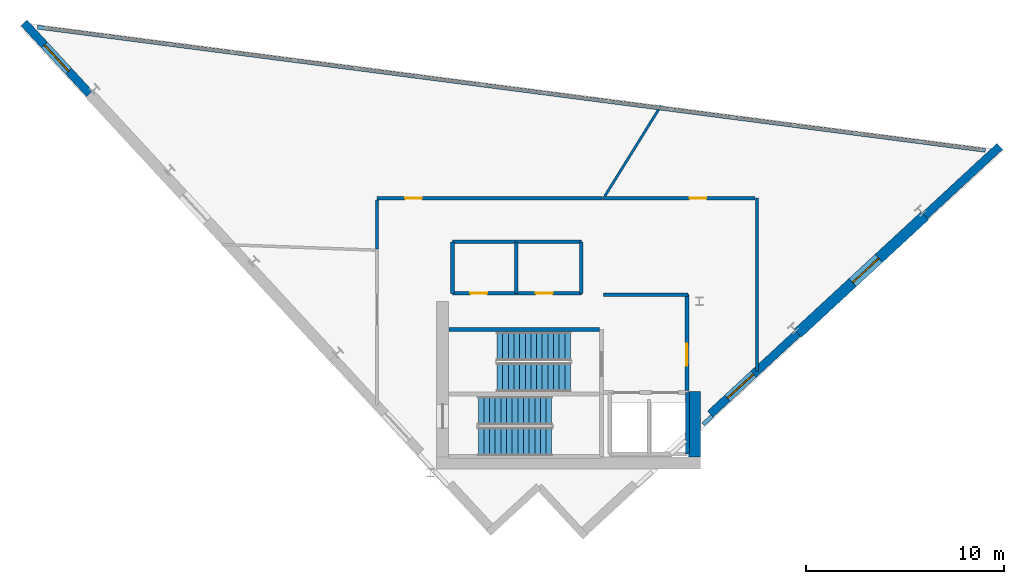
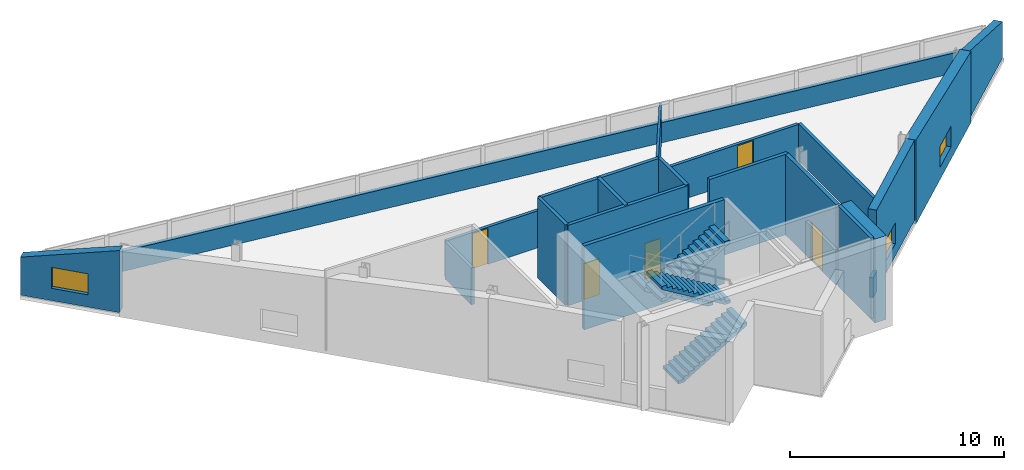
# One storey, part 6 of 7: 21 walls, 5 doors, 4 stair flights, 3 windows, 8 openings, 2 elements without a shape of their own.
"""IFC4 building model written with IfcOpenShell, lengths in metres."""

from ifc_helpers import new_model, si_unit, direction, frame, frame_2d, origin, place, context, subcontext, project, spatial, polyline, rectangle, outline, extrude, material, layer, layer_set, type_object, element, fill, aggregate, save


model = new_model("IFC4")

# Units and contexts
model_context = context("Model", 3, precision=1e-05, world=origin(), true_north=direction((0.0, 1.0)))
body_context = subcontext(model_context, "Body", "Model", "MODEL_VIEW")
ifc_project = project(units=[si_unit("LENGTHUNIT", "METRE"), si_unit("AREAUNIT", "SQUARE_METRE"), si_unit("VOLUMEUNIT", "CUBIC_METRE"), si_unit("PLANEANGLEUNIT", "RADIAN"), si_unit("MASSUNIT", "GRAM", prefix="KILO")], contexts=[model_context])

# Site, building, storey
site_placement = place(None, origin())
site = spatial("IfcSite", under=ifc_project, at=site_placement, CompositionType="ELEMENT")
building_placement = place(site_placement, origin())
building = spatial("IfcBuilding", under=site, at=building_placement, Name="Narakoshi Arena Tower", CompositionType="ELEMENT")
storey_placement = place(building_placement, frame((0.0, 0.0, 312.580078125)))
storey = spatial("IfcBuildingStorey", under=building, at=storey_placement, Name="L84", CompositionType="ELEMENT", Elevation=312.580078125)

# Walls
ifc_material_1 = material(Name="Concrete C50/60", Category="concrete")
ifc_layer_1 = layer(ifc_material_1, 0.60009765625)
ifc_layer_set_1 = layer_set([ifc_layer_1], Name="Concrete C50/60")
wall_type_1 = type_object("IfcWallType", Name="WL-CORE-600", PredefinedType="SHEAR", material=ifc_layer_set_1)
wall_1_placement = place(storey_placement, frame((85.300048828125, 35.5, -0.2001953125), z_axis=(0.0, 0.0, 1.0), x_axis=(0.0, 1.0, 0.0)))
element("IfcWall", 1, at=wall_1_placement, inside=storey, type_object=wall_type_1, Name="L84 Central Core Shear Wall CW-APX-E", PredefinedType="SHEAR", context=body_context, shape_type="SweptSolid", body=[
    extrude(rectangle(XDim=3.300048828125, YDim=0.60009765625, at=frame_2d((1.64990234375, 0.0))), origin(), (0.0, 0.0, 1.0), 4.800048828125),
])
ifc_material_2 = material(Name="Gypsum plasterboard fire-rated partition")
ifc_layer_2 = layer(ifc_material_2, 0.1650390625)
ifc_layer_set_2 = layer_set([ifc_layer_2], Name="Gypsum plasterboard fire-rated partition")
wall_type_2 = type_object("IfcWallType", Name="WL-CORR-165", PredefinedType="PARTITIONING", material=ifc_layer_set_2)
wall_2_placement = place(storey_placement, frame((88.449951171875, 39.81689453125, 0.0), z_axis=(0.0, 0.0, 1.0), x_axis=(0.0, 1.0, 0.0)))
element("IfcWall", 2, at=wall_2_placement, inside=storey, type_object=wall_type_2, Name="L84 Corridor Partition 02-1", PredefinedType="PARTITIONING", context=body_context, shape_type="SweptSolid", body=[
    extrude(rectangle(XDim=8.733154296875, YDim=0.1650390625, at=frame_2d((4.36669921875, 0.0))), origin(), (0.0, 0.0, 1.0), 2.119873046875),
])

# Wall, opening, door
wall_3_placement = place(storey_placement, frame((88.35546875, 48.550048828125, 0.0), z_axis=(0.0, 0.0, 1.0), x_axis=(-1.0, 0.0, 0.0)))
wall_3 = element("IfcWall", 3, at=wall_3_placement, inside=storey, type_object=wall_type_2, Name="L84 Corridor Partition 02-2", PredefinedType="PARTITIONING", context=body_context, shape_type="SweptSolid", body=[
    extrude(rectangle(XDim=7.679931640625, YDim=0.1650390625, at=frame_2d((3.83984375, 0.0))), origin(), (0.0, 0.0, 1.0), 2.119873046875),
])
opening_1_placement = place(wall_3_placement, frame((2.450439453125, 0.0, 0.0)))
opening_1 = element("IfcOpeningElement", 4, at=opening_1_placement, cuts=wall_3, Name="Opening D-10", PredefinedType="OPENING", context=body_context, shape_type="SweptSolid", body=[
    extrude(rectangle(XDim=0.85009765625, YDim=2.050048828125, at=frame_2d((0.425048828125, 1.02490234375))), frame((0.0, 0.092529296875, 0.0), z_axis=(0.0, -1.0, 0.0), x_axis=(1.0, 0.0, 0.0)), (0.0, 0.0, 1.0), 0.18505859375),
])
ifc_material_3 = material(Name="Painted galvanized steel", Category="steel")
door_type_1 = type_object("IfcDoorType", Name="DR-RSR-850", OperationType="NOTDEFINED", PredefinedType="DOOR", material=ifc_material_3)
door_1_placement = place(opening_1_placement, frame((0.85009765625, 0.0, 0.0), z_axis=(0.0, 0.0, 1.0), x_axis=(-1.0, 0.0, 0.0)))
door_1 = element("IfcDoor", 5, at=door_1_placement, inside=storey, type_object=door_type_1, Name="DR-L84-009", OperationType="SINGLE_SWING_LEFT", OverallHeight=2.050048828125, OverallWidth=0.85009765625, PredefinedType="DOOR", context=body_context, shape_type="SweptSolid", body=[
    extrude(rectangle(XDim=0.85009765625, YDim=2.050048828125, at=frame_2d((0.425048828125, 1.02490234375))), frame((0.0, 0.02490234375, 0.0), z_axis=(0.0, -1.0, 0.0), x_axis=(1.0, 0.0, 0.0)), (0.0, 0.0, 1.0), 0.050048828125),
])
fill(opening_1, door_1)

wall_4_placement = place(storey_placement, frame((80.647216796875, 48.550048828125, 0.0), z_axis=(0.0, 0.0, 1.0), x_axis=(-1.0, 0.0, 0.0)))
wall_4 = element("IfcWall", 6, at=wall_4_placement, inside=storey, type_object=wall_type_2, Name="L84 Corridor Partition 03-1", PredefinedType="PARTITIONING", context=body_context, shape_type="SweptSolid", body=[
    extrude(rectangle(XDim=11.34716796875, YDim=0.1650390625, at=frame_2d((5.673583984375, 0.0))), origin(), (0.0, 0.0, 1.0), 2.119873046875),
])
opening_2_placement = place(wall_4_placement, frame((9.08544921875, 0.0, 0.0)))
opening_2 = element("IfcOpeningElement", 7, at=opening_2_placement, cuts=wall_4, Name="Opening D-10", PredefinedType="OPENING", context=body_context, shape_type="SweptSolid", body=[
    extrude(rectangle(XDim=0.85009765625, YDim=2.050048828125, at=frame_2d((0.425048828125, 1.02490234375))), frame((0.0, 0.092529296875, 0.0), z_axis=(0.0, -1.0, 0.0), x_axis=(1.0, 0.0, 0.0)), (0.0, 0.0, 1.0), 0.18505859375),
])
door_2_placement = place(opening_2_placement, frame((0.85009765625, 0.0, 0.0), z_axis=(0.0, 0.0, 1.0), x_axis=(-1.0, 0.0, 0.0)))
door_2 = element("IfcDoor", 8, at=door_2_placement, inside=storey, type_object=door_type_1, Name="DR-L84-010", OperationType="SINGLE_SWING_RIGHT", OverallHeight=2.050048828125, OverallWidth=0.85009765625, PredefinedType="DOOR", context=body_context, shape_type="SweptSolid", body=[
    extrude(rectangle(XDim=0.85009765625, YDim=2.050048828125, at=frame_2d((0.425048828125, 1.02490234375))), frame((0.0, 0.02490234375, 0.0), z_axis=(0.0, -1.0, 0.0), x_axis=(1.0, 0.0, 0.0)), (0.0, 0.0, 1.0), 0.050048828125),
])
fill(opening_2, door_2)

# Wall
wall_5_placement = place(storey_placement, frame((69.300048828125, 48.45556640625, 0.0), z_axis=(0.0, 0.0, 1.0), x_axis=(0.0, -1.0, 0.0)))
element("IfcWall", 9, at=wall_5_placement, inside=storey, type_object=wall_type_2, Name="L84 Corridor Partition 03-2", PredefinedType="PARTITIONING", context=body_context, shape_type="SweptSolid", body=[
    extrude(rectangle(XDim=2.47021484375, YDim=0.1650390625, at=frame_2d((1.235107421875, 0.0))), origin(), (0.0, 0.0, 1.0), 2.119873046875),
])

# Wall, opening, window
ifc_layer_3 = layer(ifc_material_1, 0.550048828125)
ifc_layer_set_3 = layer_set([ifc_layer_3], Name="Concrete C50/60")
wall_type_3 = type_object("IfcWallType", Name="WL-LEG-550", PredefinedType="SHEAR", material=ifc_layer_set_3)
wall_6_placement = place(storey_placement, frame((90.5078125, 41.739501953125, -0.2001953125), z_axis=(0.0, 0.0, 1.0), x_axis=(0.734313922731, 0.67881003446, 0.0)))
wall_6 = element("IfcWall", 10, at=wall_6_placement, inside=storey, type_object=wall_type_3, Name="L84 Architectural Concrete Structural Wall LEGA-3", PredefinedType="SHEAR", context=body_context, shape_type="SweptSolid", body=[
    extrude(outline(polyline([(0.0, 0.0), (8.722412109375, 0.0), (8.72265625, 4.0546875), (0.0, 4.800048828125), (0.0, 0.0)])), frame((0.0, 0.27490234375, 0.0), z_axis=(0.0, -1.0, 0.0), x_axis=(1.0, 0.0, 0.0)), (0.0, 0.0, 1.0), 0.550048828125),
])
opening_3_placement = place(wall_6_placement, frame((3.764404296875, 0.0, 0.699951171875)))
opening_3 = element("IfcOpeningElement", 11, at=opening_3_placement, cuts=wall_6, Name="Opening WN-05", PredefinedType="OPENING", context=body_context, shape_type="SweptSolid", body=[
    extrude(rectangle(XDim=1.800048828125, YDim=1.199951171875, at=frame_2d((0.89990234375, 0.60009765625))), frame((0.0, 0.284912109375, 0.0), z_axis=(0.0, -1.0, 0.0), x_axis=(1.0, 0.0, 0.0)), (0.0, 0.0, 1.0), 0.570068359375),
])
ifc_material_4 = material(Name="Bronze-tinted low-E laminated glass", Category="glass")
window_type = type_object("IfcWindowType", Name="WIN-SLT-18x12", PartitioningType="SINGLE_PANEL", PredefinedType="WINDOW", material=ifc_material_4)
window_1_placement = place(opening_3_placement, origin())
window_1 = element("IfcWindow", 12, at=window_1_placement, inside=storey, type_object=window_type, Name="L84 LEGA3 Horizontal Slot Window 1", OverallHeight=1.199951171875, OverallWidth=1.800048828125, PartitioningType="SINGLE_PANEL", PredefinedType="WINDOW", context=body_context, shape_type="SweptSolid", body=[
    extrude(rectangle(XDim=1.800048828125, YDim=1.199951171875, at=frame_2d((0.89990234375, 0.60009765625))), frame((0.0, 0.030029296875, 0.0), z_axis=(0.0, -1.0, 0.0), x_axis=(1.0, 0.0, 0.0)), (0.0, 0.0, 1.0), 0.06005859375),
])
fill(opening_3, window_1)

# Walls
ifc_material_5 = material(Name="Precast concrete C45/55", Category="concrete")
ifc_layer_4 = layer(ifc_material_5, 0.25)
ifc_layer_set_4 = layer_set([ifc_layer_4], Name="Precast concrete C45/55")
wall_type_4 = type_object("IfcWallType", Name="WL-PARA-250", PredefinedType="PARAPET", material=ifc_layer_set_4)
wall_7_placement = place(storey_placement, frame((52.179931640625, 57.16748046875, 0.0), z_axis=(0.0, 0.0, 1.0), x_axis=(0.991658680797, -0.128891663035, 0.0)))
element("IfcWall", 13, at=wall_7_placement, inside=storey, type_object=wall_type_4, Name="L84 Crown Sill Upstand Parapet 03", PredefinedType="PARAPET", context=body_context, shape_type="SweptSolid", body=[
    extrude(rectangle(XDim=48.185302734375, YDim=0.199951171875, at=frame_2d((24.0927734375, 0.0))), origin(), (0.0, 0.0, 1.0), 1.14990234375),
])
wall_8_placement = place(storey_placement, frame((86.191650390625, 37.56591796875, 0.0), z_axis=(0.0, 0.0, 1.0), x_axis=(-0.734346728958, -0.678774544064, 0.0)))
element("IfcWall", 14, at=wall_8_placement, inside=storey, type_object=wall_type_4, Name="L84 Crown Sill Upstand Parapet 04", PredefinedType="PARAPET", context=body_context, shape_type="SweptSolid", body=[
    extrude(rectangle(XDim=0.614990234375, YDim=0.199951171875, at=frame_2d((0.3076171875, 0.0))), origin(), (0.0, 0.0, 1.0), 1.14990234375),
])
ifc_layer_5 = layer(ifc_material_2, 0.125)
ifc_layer_set_5 = layer_set([ifc_layer_5], Name="Gypsum plasterboard fire-rated partition")
wall_type_5 = type_object("IfcWallType", Name="WL-PART-125", PredefinedType="PARTITIONING", material=ifc_layer_set_5)
wall_9_placement = place(storey_placement, frame((80.77685546875, 48.64453125, 0.0), z_axis=(0.0, 0.0, 1.0), x_axis=(0.527561345101, 0.849516937533, 0.0)))
element("IfcWall", 15, at=wall_9_placement, inside=storey, type_object=wall_type_5, Name="L84 Inter-Room Partition 02-03", PredefinedType="PARTITIONING", context=body_context, shape_type="SweptSolid", body=[
    extrude(rectangle(XDim=5.388427734375, YDim=0.125, at=frame_2d((2.6943359375, 0.0))), origin(), (0.0, 0.0, 1.0), 2.119873046875),
])

# Wall, opening, window
ifc_layer_6 = layer(ifc_material_5, 0.419921875)
ifc_layer_set_6 = layer_set([ifc_layer_6], Name="Precast concrete C45/55")
wall_type_6 = type_object("IfcWallType", Name="WL-POD-420", PredefinedType="SOLIDWALL", material=ifc_layer_set_6)
wall_10_placement = place(storey_placement, frame((86.10009765625, 37.6650390625, 0.0), z_axis=(0.0, 0.0, 1.0), x_axis=(0.734321413343, 0.678801931277, 0.0)))
wall_10 = element("IfcWall", 16, at=wall_10_placement, inside=storey, type_object=wall_type_6, Name="L84 Architectural Concrete Facade Wall LEGA-2", PredefinedType="SOLIDWALL", context=body_context, shape_type="SweptSolid", body=[
    extrude(outline(polyline([(0.0, 0.0), (6.00244140625, 0.0), (6.00244140625, 4.599853515625), (0.0, 4.599853515625), (0.0, 0.0)])), frame((0.0, 0.2099609375, 0.0), z_axis=(0.0, -1.0, 0.0), x_axis=(1.0, 0.0, 0.0)), (0.0, 0.0, 1.0), 0.419921875),
])
opening_4_placement = place(wall_10_placement, frame((1.169189453125, 0.0, 0.699951171875)))
opening_4 = element("IfcOpeningElement", 17, at=opening_4_placement, cuts=wall_10, Name="Opening WN-05", PredefinedType="OPENING", context=body_context, shape_type="SweptSolid", body=[
    extrude(rectangle(XDim=1.800048828125, YDim=1.199951171875, at=frame_2d((0.89990234375, 0.60009765625))), frame((0.0, 0.219970703125, 0.0), z_axis=(0.0, -1.0, 0.0), x_axis=(1.0, 0.0, 0.0)), (0.0, 0.0, 1.0), 0.43994140625),
])
window_2_placement = place(opening_4_placement, origin())
window_2 = element("IfcWindow", 18, at=window_2_placement, inside=storey, type_object=window_type, Name="L84 LEGA2 Horizontal Slot Window 1", OverallHeight=1.199951171875, OverallWidth=1.800048828125, PartitioningType="SINGLE_PANEL", PredefinedType="WINDOW", context=body_context, shape_type="SweptSolid", body=[
    extrude(rectangle(XDim=1.800048828125, YDim=1.199951171875, at=frame_2d((0.89990234375, 0.60009765625))), frame((0.0, 0.030029296875, 0.0), z_axis=(0.0, -1.0, 0.0), x_axis=(1.0, 0.0, 0.0)), (0.0, 0.0, 1.0), 0.06005859375),
])
fill(opening_4, window_2)

# Wall
wall_11_placement = place(storey_placement, frame((96.912841796875, 47.660400390625, 0.0), z_axis=(0.0, 0.0, 1.0), x_axis=(0.734332287734, 0.678790167276, 0.0)))
element("IfcWall", 19, at=wall_11_placement, inside=storey, type_object=wall_type_6, Name="L84 Architectural Concrete Facade Wall LEGA-4", PredefinedType="SOLIDWALL", context=body_context, shape_type="SweptSolid", body=[
    extrude(outline(polyline([(0.0, 0.0), (5.147216796875, 0.0), (5.147216796875, 2.094970703125), (0.0, 3.8544921875), (0.0, 0.0)])), frame((0.0, 0.2099609375, 0.0), z_axis=(0.0, -1.0, 0.0), x_axis=(1.0, 0.0, 0.0)), (0.0, 0.0, 1.0), 0.419921875),
])

# Wall, opening, window
wall_12_placement = place(storey_placement, frame((51.5, 57.38720703125, 0.0), z_axis=(0.0, 0.0, 1.0), x_axis=(0.67880684669, -0.734316869537, 0.0)))
wall_12 = element("IfcWall", 20, at=wall_12_placement, inside=storey, type_object=wall_type_6, Name="L84 Architectural Concrete Facade Wall LEGB-1", PredefinedType="SOLIDWALL", context=body_context, shape_type="SweptSolid", body=[
    extrude(outline(polyline([(0.0, 0.0), (4.86865234375, 0.0), (4.868408203125, 3.554931640625), (0.0, 2.166015625), (0.0, 0.0)])), frame((0.0, 0.2099609375, 0.0), z_axis=(0.0, -1.0, 0.0), x_axis=(1.0, 0.0, 0.0)), (0.0, 0.0, 1.0), 0.419921875),
])
opening_5_placement = place(wall_12_placement, frame((1.51708984375, 0.0, 0.699951171875)))
opening_5 = element("IfcOpeningElement", 21, at=opening_5_placement, cuts=wall_12, Name="Opening WN-05", PredefinedType="OPENING", context=body_context, shape_type="SweptSolid", body=[
    extrude(rectangle(XDim=1.800048828125, YDim=1.199951171875, at=frame_2d((0.89990234375, 0.60009765625))), frame((0.0, 0.219970703125, 0.0), z_axis=(0.0, -1.0, 0.0), x_axis=(1.0, 0.0, 0.0)), (0.0, 0.0, 1.0), 0.43994140625),
])
window_3_placement = place(opening_5_placement, origin())
window_3 = element("IfcWindow", 22, at=window_3_placement, inside=storey, type_object=window_type, Name="L84 LEGB1 Horizontal Slot Window 1", OverallHeight=1.199951171875, OverallWidth=1.800048828125, PartitioningType="SINGLE_PANEL", PredefinedType="WINDOW", context=body_context, shape_type="SweptSolid", body=[
    extrude(rectangle(XDim=1.800048828125, YDim=1.199951171875, at=frame_2d((0.89990234375, 0.60009765625))), frame((0.0, 0.030029296875, 0.0), z_axis=(0.0, -1.0, 0.0), x_axis=(1.0, 0.0, 0.0)), (0.0, 0.0, 1.0), 0.06005859375),
])
fill(opening_5, window_3)

# Wall, openings, doors
ifc_material_6 = material(Name="Concrete C40/50", Category="concrete")
ifc_layer_7 = layer(ifc_material_6, 0.280029296875)
ifc_layer_set_7 = layer_set([ifc_layer_7], Name="Concrete C40/50")
wall_type_7 = type_object("IfcWallType", Name="WL-RISER-280", PredefinedType="PLUMBINGWALL", material=ifc_layer_set_7)
wall_13_placement = place(storey_placement, frame((73.10009765625, 43.75, 0.0), z_axis=(0.0, 0.0, 1.0), x_axis=(1.0, 0.0, 0.0)))
wall_13 = element("IfcWall", 23, at=wall_13_placement, inside=storey, type_object=wall_type_7, Name="L84 Core Wall CRN84-S", PredefinedType="PLUMBINGWALL", context=body_context, shape_type="SweptSolid", body=[
    extrude(rectangle(XDim=6.5, YDim=0.179931640625, at=frame_2d((3.25, 0.0))), origin(), (0.0, 0.0, 1.0), 4.599853515625),
])
opening_6_placement = place(wall_13_placement, frame((0.89990234375, 0.0, 0.0)))
opening_6 = element("IfcOpeningElement", 24, at=opening_6_placement, cuts=wall_13, Name="Opening D-10", PredefinedType="OPENING", context=body_context, shape_type="SweptSolid", body=[
    extrude(rectangle(XDim=0.85009765625, YDim=2.050048828125, at=frame_2d((0.425048828125, 1.02490234375))), frame((0.0, 0.099853515625, 0.0), z_axis=(0.0, -1.0, 0.0), x_axis=(1.0, 0.0, 0.0)), (0.0, 0.0, 1.0), 0.199951171875),
])
opening_7_placement = place(wall_13_placement, frame((4.199951171875, 0.0, 0.0)))
opening_7 = element("IfcOpeningElement", 25, at=opening_7_placement, cuts=wall_13, Name="Opening D-10", PredefinedType="OPENING", context=body_context, shape_type="SweptSolid", body=[
    extrude(rectangle(XDim=0.85009765625, YDim=2.050048828125, at=frame_2d((0.425048828125, 1.02490234375))), frame((0.0, 0.099853515625, 0.0), z_axis=(0.0, -1.0, 0.0), x_axis=(1.0, 0.0, 0.0)), (0.0, 0.0, 1.0), 0.199951171875),
])
door_3_placement = place(opening_6_placement, origin())
door_3 = element("IfcDoor", 26, at=door_3_placement, inside=storey, type_object=door_type_1, Name="DR-L84-006", OperationType="SINGLE_SWING_LEFT", OverallHeight=2.050048828125, OverallWidth=0.85009765625, PredefinedType="DOOR", context=body_context, shape_type="SweptSolid", body=[
    extrude(rectangle(XDim=0.85009765625, YDim=2.050048828125, at=frame_2d((0.425048828125, 1.02490234375))), frame((0.0, 0.02490234375, 0.0), z_axis=(0.0, -1.0, 0.0), x_axis=(1.0, 0.0, 0.0)), (0.0, 0.0, 1.0), 0.050048828125),
])
fill(opening_6, door_3)
door_4_placement = place(opening_7_placement, origin())
door_4 = element("IfcDoor", 27, at=door_4_placement, inside=storey, type_object=door_type_1, Name="DR-L84-007", OperationType="SINGLE_SWING_RIGHT", OverallHeight=2.050048828125, OverallWidth=0.85009765625, PredefinedType="DOOR", context=body_context, shape_type="SweptSolid", body=[
    extrude(rectangle(XDim=0.85009765625, YDim=2.050048828125, at=frame_2d((0.425048828125, 1.02490234375))), frame((0.0, 0.02490234375, 0.0), z_axis=(0.0, -1.0, 0.0), x_axis=(1.0, 0.0, 0.0)), (0.0, 0.0, 1.0), 0.050048828125),
])
fill(opening_7, door_4)

# Walls
wall_14_placement = place(storey_placement, frame((73.10009765625, 46.35009765625, 0.0), z_axis=(0.0, 0.0, 1.0), x_axis=(1.0, 0.0, 0.0)))
element("IfcWall", 28, at=wall_14_placement, inside=storey, type_object=wall_type_7, Name="L84 Core Wall CRN84-N", PredefinedType="PLUMBINGWALL", context=body_context, shape_type="SweptSolid", body=[
    extrude(rectangle(XDim=6.5, YDim=0.179931640625, at=frame_2d((3.25, 0.0))), origin(), (0.0, 0.0, 1.0), 4.599853515625),
])
for number, where, z_axis, x_axis, name in (
    (29, (73.10009765625, 43.75, 0.0), (0.0, 0.0, 1.0), (0.0, 1.0, 0.0), "L84 Core Wall CRN84-W"),
    (30, (79.60009765625, 43.75, 0.0), (0.0, 0.0, 1.0), (0.0, 1.0, 0.0), "L84 Core Wall CRN84-E"),
    (31, (76.320068359375, 43.75, 0.0), (0.0, 0.0, 1.0), (0.0, 1.0, 0.0), "L84 Core Wall CRN84-M"),
):
    element("IfcWall", number, at=place(storey_placement, frame(where, z_axis=z_axis, x_axis=x_axis)), inside=storey, type_object=wall_type_7, Name=name, PredefinedType="PLUMBINGWALL", context=body_context, shape_type="SweptSolid", body=[
        extrude(rectangle(XDim=2.60009765625, YDim=0.179931640625, at=frame_2d((1.300048828125, 0.0))), origin(), (0.0, 0.0, 1.0), 4.599853515625),
    ])
ifc_layer_8 = layer(ifc_material_1, 0.35009765625)
ifc_layer_set_8 = layer_set([ifc_layer_8], Name="Concrete C50/60")
wall_type_8 = type_object("IfcWallType", Name="WL-SHAFT-350", PredefinedType="SOLIDWALL", material=ifc_layer_set_8)
wall_15_placement = place(storey_placement, frame((84.949951171875, 35.64990234375, 0.0), z_axis=(0.0, 0.0, 1.0), x_axis=(0.0, 1.0, 0.0)))
element("IfcWall", 32, at=wall_15_placement, inside=storey, type_object=wall_type_8, Name="L84 Core Wall FF-E", PredefinedType="SOLIDWALL", context=body_context, shape_type="SweptSolid", body=[
    extrude(rectangle(XDim=3.10009765625, YDim=0.179931640625, at=frame_2d((1.550048828125, 0.0))), origin(), (0.0, 0.0, 1.0), 4.599853515625),
])

# Wall, opening, door
wall_16_placement = place(storey_placement, frame((84.919921875, 38.85009765625, 0.0), z_axis=(0.0, 0.0, 1.0), x_axis=(0.0, 1.0, 0.0)))
wall_16 = element("IfcWall", 33, at=wall_16_placement, inside=storey, type_object=wall_type_8, Name="L84 Core Wall FFLOB-E", PredefinedType="SOLIDWALL", context=body_context, shape_type="SweptSolid", body=[
    extrude(rectangle(XDim=4.829833984375, YDim=0.199951171875, at=frame_2d((2.4150390625, 0.0))), origin(), (0.0, 0.0, 1.0), 4.599853515625),
])
opening_8_placement = place(wall_16_placement, frame((1.25, 0.0, 0.0)))
opening_8 = element("IfcOpeningElement", 34, at=opening_8_placement, cuts=wall_16, Name="Opening D-04", PredefinedType="OPENING", context=body_context, shape_type="SweptSolid", body=[
    extrude(rectangle(XDim=1.10009765625, YDim=2.199951171875, at=frame_2d((0.550048828125, 1.10009765625))), frame((0.0, 0.10986328125, 0.0), z_axis=(0.0, -1.0, 0.0), x_axis=(1.0, 0.0, 0.0)), (0.0, 0.0, 1.0), 0.219970703125),
])
door_type_2 = type_object("IfcDoorType", Name="DR-FFL-1100", OperationType="NOTDEFINED", PredefinedType="DOOR", material=ifc_material_3)
door_5_placement = place(opening_8_placement, frame((1.10009765625, 0.0, 0.0), z_axis=(0.0, 0.0, 1.0), x_axis=(-1.0, 0.0, 0.0)))
door_5 = element("IfcDoor", 35, at=door_5_placement, inside=storey, type_object=door_type_2, Name="DR-L84-005", OperationType="SINGLE_SWING_RIGHT", OverallHeight=2.199951171875, OverallWidth=1.10009765625, PredefinedType="DOOR", context=body_context, shape_type="SweptSolid", body=[
    extrude(rectangle(XDim=1.10009765625, YDim=2.199951171875, at=frame_2d((0.550048828125, 1.10009765625))), frame((0.0, 0.02490234375, 0.0), z_axis=(0.0, -1.0, 0.0), x_axis=(1.0, 0.0, 0.0)), (0.0, 0.0, 1.0), 0.050048828125),
])
fill(opening_8, door_5)

# Walls
wall_17_placement = place(storey_placement, frame((72.919921875, 41.919921875, -0.2001953125), z_axis=(0.0, 0.0, 1.0), x_axis=(1.0, 0.0, 0.0)))
element("IfcWall", 36, at=wall_17_placement, inside=storey, type_object=wall_type_8, Name="L84 Core Wall ST2-N", PredefinedType="SOLIDWALL", context=body_context, shape_type="SweptSolid", body=[
    extrude(rectangle(XDim=7.580078125, YDim=0.199951171875, at=frame_2d((3.7900390625, 0.0))), origin(), (0.0, 0.0, 1.0), 4.800048828125),
])
wall_18_placement = place(storey_placement, frame((80.719970703125, 43.679931640625, 0.0), z_axis=(0.0, 0.0, 1.0), x_axis=(1.0, 0.0, 0.0)))
element("IfcWall", 37, at=wall_18_placement, inside=storey, type_object=wall_type_8, Name="L84 Core Wall FFL-N", PredefinedType="SOLIDWALL", context=body_context, shape_type="SweptSolid", body=[
    extrude(rectangle(XDim=4.260009765625, YDim=0.179931640625, at=frame_2d((2.1298828125, 0.0))), origin(), (0.0, 0.0, 1.0), 4.599853515625),
])

# Stair, stair flights
ifc_material_7 = material(Name="Concrete C45/55", Category="concrete")
stair_type = type_object("IfcStairType", Name="STR-CRN-480", PredefinedType="TWO_STRAIGHT_RUN_STAIR", material=ifc_material_7)
stair_1_placement = place(storey_placement, origin())
stair_1 = element("IfcStair", 38, at=stair_1_placement, inside=storey, type_object=stair_type, Name="L84 Core Escape Stair ST1", PredefinedType="TWO_STRAIGHT_RUN_STAIR")
stair_flight_type = type_object("IfcStairFlightType", Name="FLT-135-160", PredefinedType="STRAIGHT", material=ifc_material_5)
stair_flight_1_placement = place(storey_placement, frame((74.39990234375, 36.27490234375, 0.0), z_axis=(0.0, 0.0, 1.0), x_axis=(1.0, 0.0, 0.0)))
stair_flight_1 = element("IfcStairFlight", 39, at=stair_flight_1_placement, type_object=stair_flight_type, Name="ST1 flight 1", NumberOfRisers=14, NumberOfTreads=13, PredefinedType="STRAIGHT", RiserHeight=0.171428571, TreadLength=0.285, context=body_context, shape_type="SweptSolid", body=[
    extrude(outline(polyline([(0.0, 0.0), (0.0, 0.17138671875), (0.284912109375, 0.17138671875), (0.284912109375, 0.3427734375), (0.570068359375, 0.3427734375), (0.570068359375, 0.514404296875), (0.85498046875, 0.514404296875), (0.85498046875, 0.685791015625), (1.139892578125, 0.685791015625), (1.139892578125, 0.857177734375), (1.425048828125, 0.857177734375), (1.425048828125, 1.028564453125), (1.7099609375, 1.028564453125), (1.7099609375, 1.199951171875), (1.9951171875, 1.199951171875), (1.9951171875, 1.371337890625), (2.280029296875, 1.371337890625), (2.280029296875, 1.54296875), (2.56494140625, 1.54296875), (2.56494140625, 1.71435546875), (2.85009765625, 1.71435546875), (2.85009765625, 1.8857421875), (3.135009765625, 1.8857421875), (3.135009765625, 2.05712890625), (3.419921875, 2.05712890625), (3.419921875, 2.228515625), (3.705078125, 2.228515625), (3.705078125, 2.39990234375), (3.705078125, 2.0537109375), (0.290771484375, 0.0), (0.0, 0.0)])), frame((0.0, 0.72509765625, 0.0), z_axis=(0.0, -1.0, 0.0), x_axis=(1.0, 0.0, 0.0)), (0.0, 0.0, 1.0), 1.449951171875),
])
stair_flight_2_placement = place(storey_placement, frame((78.10498046875, 37.824951171875, 2.39990234375), z_axis=(0.0, 0.0, 1.0), x_axis=(-1.0, 0.0, 0.0)))
stair_flight_2 = element("IfcStairFlight", 40, at=stair_flight_2_placement, type_object=stair_flight_type, Name="ST1 flight 2", NumberOfRisers=14, NumberOfTreads=13, PredefinedType="STRAIGHT", RiserHeight=0.171428571, TreadLength=0.285, context=body_context, shape_type="SweptSolid", body=[
    extrude(outline(polyline([(0.0, 0.0), (0.0, 0.17138671875), (0.284912109375, 0.17138671875), (0.284912109375, 0.3427734375), (0.570068359375, 0.3427734375), (0.570068359375, 0.514404296875), (0.85498046875, 0.514404296875), (0.85498046875, 0.685791015625), (1.139892578125, 0.685791015625), (1.139892578125, 0.857177734375), (1.425048828125, 0.857177734375), (1.425048828125, 1.028564453125), (1.7099609375, 1.028564453125), (1.7099609375, 1.199951171875), (1.9951171875, 1.199951171875), (1.9951171875, 1.371337890625), (2.280029296875, 1.371337890625), (2.280029296875, 1.54296875), (2.56494140625, 1.54296875), (2.56494140625, 1.71435546875), (2.85009765625, 1.71435546875), (2.85009765625, 1.8857421875), (3.135009765625, 1.8857421875), (3.135009765625, 2.05712890625), (3.419921875, 2.05712890625), (3.419921875, 2.228515625), (3.705078125, 2.228515625), (3.705078125, 2.39990234375), (3.705078125, 2.0537109375), (0.290771484375, 0.0), (0.0, 0.0)])), frame((0.0, 0.72509765625, 0.0), z_axis=(0.0, -1.0, 0.0), x_axis=(1.0, 0.0, 0.0)), (0.0, 0.0, 1.0), 1.449951171875),
])
aggregate(stair_1, [stair_flight_1, stair_flight_2])

stair_2_placement = place(storey_placement, origin())
stair_2 = element("IfcStair", 41, at=stair_2_placement, inside=storey, type_object=stair_type, Name="L84 Core Escape Stair ST2", PredefinedType="TWO_STRAIGHT_RUN_STAIR")
stair_flight_3_placement = place(storey_placement, frame((79.050048828125, 41.074951171875, 0.0), z_axis=(0.0, 0.0, 1.0), x_axis=(-1.0, 0.0, 0.0)))
stair_flight_3 = element("IfcStairFlight", 42, at=stair_flight_3_placement, type_object=stair_flight_type, Name="ST2 flight 1", NumberOfRisers=14, NumberOfTreads=13, PredefinedType="STRAIGHT", RiserHeight=0.171428571, TreadLength=0.285, context=body_context, shape_type="SweptSolid", body=[
    extrude(outline(polyline([(0.0, 0.0), (0.0, 0.17138671875), (0.284912109375, 0.17138671875), (0.284912109375, 0.3427734375), (0.570068359375, 0.3427734375), (0.570068359375, 0.514404296875), (0.85498046875, 0.514404296875), (0.85498046875, 0.685791015625), (1.139892578125, 0.685791015625), (1.139892578125, 0.857177734375), (1.425048828125, 0.857177734375), (1.425048828125, 1.028564453125), (1.7099609375, 1.028564453125), (1.7099609375, 1.199951171875), (1.9951171875, 1.199951171875), (1.9951171875, 1.371337890625), (2.280029296875, 1.371337890625), (2.280029296875, 1.54296875), (2.56494140625, 1.54296875), (2.56494140625, 1.71435546875), (2.85009765625, 1.71435546875), (2.85009765625, 1.8857421875), (3.135009765625, 1.8857421875), (3.135009765625, 2.05712890625), (3.419921875, 2.05712890625), (3.419921875, 2.228515625), (3.705078125, 2.228515625), (3.705078125, 2.39990234375), (3.705078125, 2.0537109375), (0.290771484375, 0.0), (0.0, 0.0)])), frame((0.0, 0.72509765625, 0.0), z_axis=(0.0, -1.0, 0.0), x_axis=(1.0, 0.0, 0.0)), (0.0, 0.0, 1.0), 1.449951171875),
])
stair_flight_4_placement = place(storey_placement, frame((75.344970703125, 39.52490234375, 2.39990234375), z_axis=(0.0, 0.0, 1.0), x_axis=(1.0, 0.0, 0.0)))
stair_flight_4 = element("IfcStairFlight", 43, at=stair_flight_4_placement, type_object=stair_flight_type, Name="ST2 flight 2", NumberOfRisers=14, NumberOfTreads=13, PredefinedType="STRAIGHT", RiserHeight=0.171428571, TreadLength=0.285, context=body_context, shape_type="SweptSolid", body=[
    extrude(outline(polyline([(0.0, 0.0), (0.0, 0.17138671875), (0.284912109375, 0.17138671875), (0.284912109375, 0.3427734375), (0.570068359375, 0.3427734375), (0.570068359375, 0.514404296875), (0.85498046875, 0.514404296875), (0.85498046875, 0.685791015625), (1.139892578125, 0.685791015625), (1.139892578125, 0.857177734375), (1.425048828125, 0.857177734375), (1.425048828125, 1.028564453125), (1.7099609375, 1.028564453125), (1.7099609375, 1.199951171875), (1.9951171875, 1.199951171875), (1.9951171875, 1.371337890625), (2.280029296875, 1.371337890625), (2.280029296875, 1.54296875), (2.56494140625, 1.54296875), (2.56494140625, 1.71435546875), (2.85009765625, 1.71435546875), (2.85009765625, 1.8857421875), (3.135009765625, 1.8857421875), (3.135009765625, 2.05712890625), (3.419921875, 2.05712890625), (3.419921875, 2.228515625), (3.705078125, 2.228515625), (3.705078125, 2.39990234375), (3.705078125, 2.0537109375), (0.290771484375, 0.0), (0.0, 0.0)])), frame((0.0, 0.72509765625, 0.0), z_axis=(0.0, -1.0, 0.0), x_axis=(1.0, 0.0, 0.0)), (0.0, 0.0, 1.0), 1.449951171875),
])
aggregate(stair_2, [stair_flight_3, stair_flight_4])

save(model, "model.ifc")
